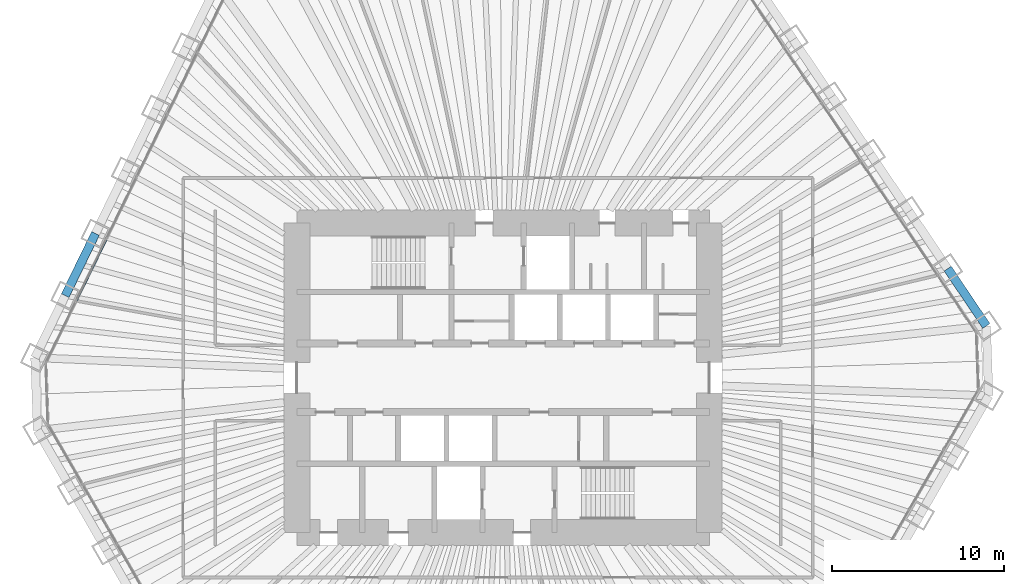
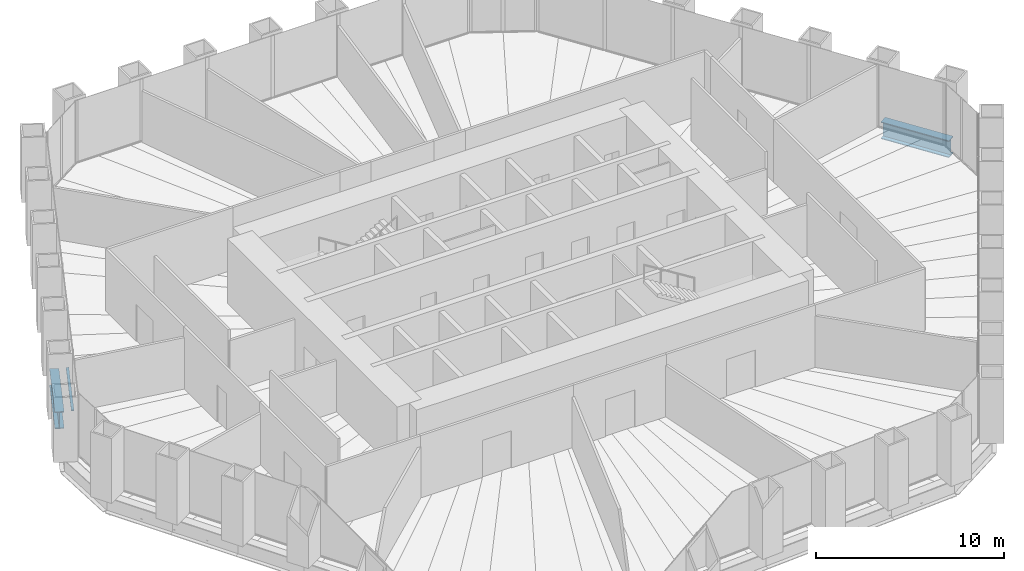
# One storey, part 5 of 13: 2 beams, 1 member, 1 element without a shape of its own.
"""IFC4 building model written with IfcOpenShell, lengths in metres."""

from ifc_helpers import new_model, si_unit, direction, frame, origin, origin_2d, place, context, subcontext, project, spatial, rectangle, i_section, extrude, material, material_profile, profile_set, type_object, element, aggregate, save


model = new_model("IFC4")

# Units and contexts
model_context = context("Model", 3, precision=1e-05, world=origin(), true_north=direction((0.0, 1.0)))
body_context = subcontext(model_context, "Body", "Model", "MODEL_VIEW")
ifc_project = project(units=[si_unit("LENGTHUNIT", "METRE"), si_unit("AREAUNIT", "SQUARE_METRE"), si_unit("VOLUMEUNIT", "CUBIC_METRE"), si_unit("PLANEANGLEUNIT", "RADIAN"), si_unit("MASSUNIT", "GRAM", prefix="KILO")], contexts=[model_context])

# Site, building, storey
site_placement = place(None, origin())
site = spatial("IfcSite", under=ifc_project, at=site_placement, CompositionType="ELEMENT")
building_placement = place(site_placement, origin())
building = spatial("IfcBuilding", under=site, at=building_placement, Name="Qingtian Harvest Tower", CompositionType="ELEMENT")
storey_placement = place(building_placement, frame((0.0, 0.0, 132.39990234375)))
storey = spatial("IfcBuildingStorey", under=building, at=storey_placement, Name="L27", CompositionType="ELEMENT", Elevation=132.39990234375)

# Beams
ifc_material_1 = material(Name="Steel SM570MC", Category="steel")
ifc_material_profile_1 = material_profile(ifc_material_1, i_section(OverallWidth=0.5, OverallDepth=1.10009765625, WebThickness=0.02490234375, FlangeThickness=0.050048828125, at=origin_2d()), Name="H1100x500x25x50")
ifc_profile_set_1 = profile_set([ifc_material_profile_1], Name="Steel SM570MC")
beam_type = type_object("IfcBeamType", Name="Spandrel beam SB2 H1100x500x25x50", PredefinedType="SPANDREL", material=ifc_profile_set_1)
for number, where, z_axis, x_axis, name in (
    (1, (25.8720703125, 6.3505859375, -0.5498046875), (0.55916400171, -0.829057066306, 0.0), (0.829057066306, 0.55916400171, 0.0), "Spandrel SB2 NE5"),
    (2, (-25.483154296875, 4.78125, -0.5498046875), (0.438396105405, 0.89878187274, 0.0), (-0.89878187274, 0.438396105405, 0.0), "Spandrel SB2 NW1"),
):
    element("IfcBeam", number, at=place(storey_placement, frame(where, z_axis=z_axis, x_axis=x_axis)), inside=storey, type_object=beam_type, Name=name, PredefinedType="SPANDREL", context=body_context, shape_type="SweptSolid", body=[
        extrude(i_section(OverallWidth=0.5, OverallDepth=1.10009765625, WebThickness=0.02490234375, FlangeThickness=0.050048828125, at=origin_2d()), origin(), (0.0, 0.0, 1.0), 4.01904296875),
    ])

# Curtain wall, member
ifc_material_2 = material(Name="Bronze-anodised aluminium curtain wall", Category="aluminium")
curtain_wall_type = type_object("IfcCurtainWallType", Name="Curtain wall CW4 office", PredefinedType="USERDEFINED", material=ifc_material_2)
curtain_wall_placement = place(storey_placement, origin())
curtain_wall = element("IfcCurtainWall", 3, at=curtain_wall_placement, inside=storey, type_object=curtain_wall_type, Name="Curtain wall CW4 L27 NW0-5", ObjectType="RECESSED CURTAIN WALL", PredefinedType="USERDEFINED")
ifc_material_3 = material(Name="Bronze-anodised aluminium transom", Category="aluminium")
ifc_material_profile_2 = material_profile(ifc_material_3, rectangle(XDim=0.14990234375, YDim=0.06494140625, at=origin_2d()), Name="AL 65x150")
ifc_profile_set_2 = profile_set([ifc_material_profile_2], Name="Bronze-anodised aluminium transom")
member_type = type_object("IfcMemberType", Name="Transom CWT 65x150", PredefinedType="USERDEFINED", material=ifc_profile_set_2)
member_placement = place(storey_placement, frame((-24.839599609375, 4.503662109375, 0.03271484375), z_axis=(0.438374972828, 0.898792180205, 0.0), x_axis=(-0.898792180205, 0.438374972828, 0.0)))
member = element("IfcMember", 4, at=member_placement, type_object=member_type, Name="CW4 transom 2.1", ObjectType="TRANSOM", PredefinedType="USERDEFINED", context=body_context, shape_type="SweptSolid", body=[
    extrude(rectangle(XDim=0.14990234375, YDim=0.06494140625, at=origin_2d()), origin(), (0.0, 0.0, 1.0), 3.9541015625),
])
aggregate(curtain_wall, [member])

save(model, "model.ifc")
